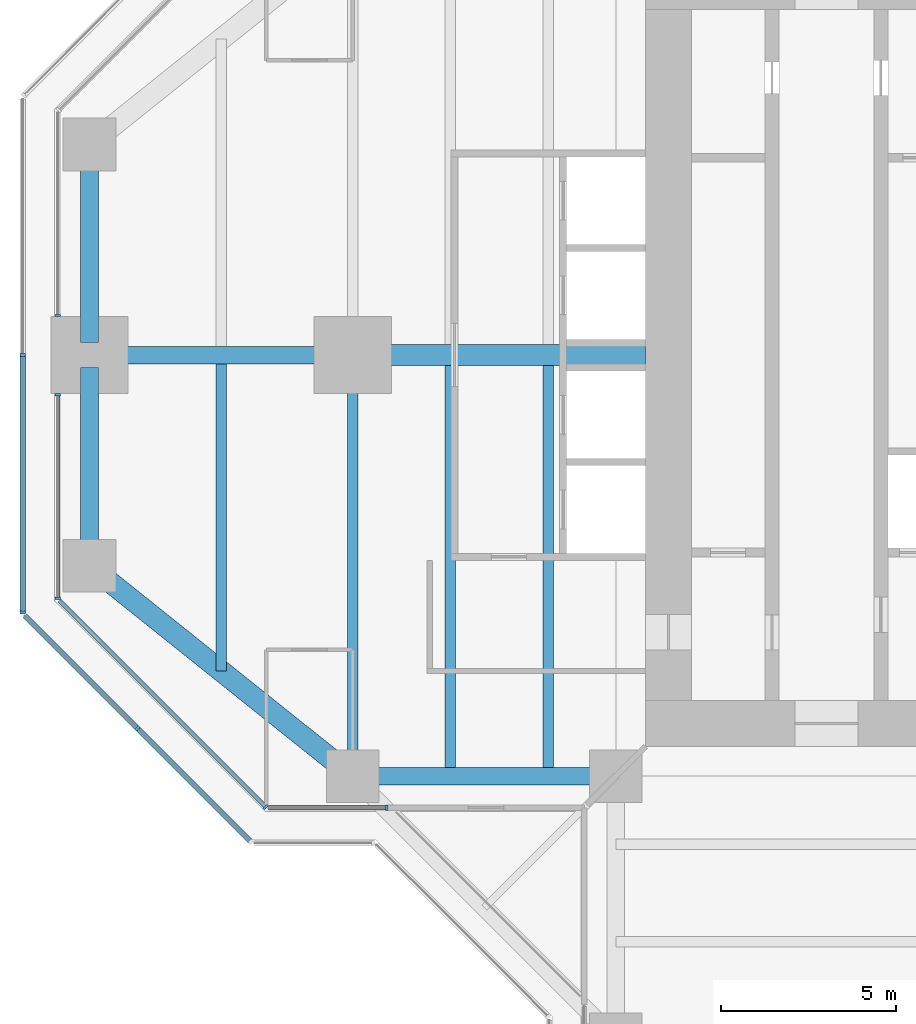
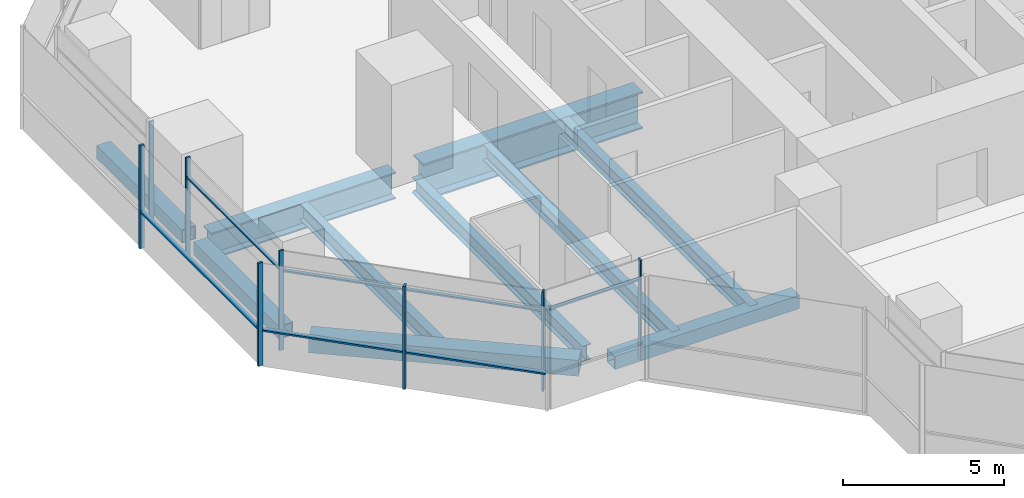
# One storey, part 3 of 17: 14 members, 10 beams, 6 elements without a shape of their own.
"""IFC4 building model written with IfcOpenShell, lengths in metres."""

from ifc_helpers import new_model, si_unit, direction, frame, origin, origin_2d, place, context, subcontext, project, spatial, rectangle, hollow_rectangle, i_section, extrude, material, material_profile, profile_set, type_object, element, aggregate, save


model = new_model("IFC4")

# Units and contexts
model_context = context("Model", 3, precision=1e-05, world=origin(), true_north=direction((0.0, 1.0)))
body_context = subcontext(model_context, "Body", "Model", "MODEL_VIEW")
ifc_project = project(units=[si_unit("LENGTHUNIT", "METRE"), si_unit("AREAUNIT", "SQUARE_METRE"), si_unit("VOLUMEUNIT", "CUBIC_METRE"), si_unit("PLANEANGLEUNIT", "RADIAN"), si_unit("MASSUNIT", "GRAM", prefix="KILO")], contexts=[model_context])

# Site, building, storey
site_placement = place(None, origin())
site = spatial("IfcSite", under=ifc_project, at=site_placement, CompositionType="ELEMENT")
building_placement = place(site_placement, origin())
building = spatial("IfcBuilding", under=site, at=building_placement, Name="Mizan Broadcast Tower", CompositionType="ELEMENT")
storey_placement = place(building_placement, frame((0.0, 0.0, 208.800048828125)))
storey = spatial("IfcBuildingStorey", under=building, at=storey_placement, Name="L48", CompositionType="ELEMENT", Elevation=208.800048828125)

# Beams
ifc_material_1 = material(Name="Steel S355", Category="steel")
ifc_material_profile_1 = material_profile(ifc_material_1, hollow_rectangle(XDim=0.5, YDim=0.5, WallThickness=0.030029296875, at=origin_2d()), Name="BOX 500x500x30")
ifc_profile_set_1 = profile_set([ifc_material_profile_1], Name="Steel S355")
beam_type_1 = type_object("IfcBeamType", Name="EDGE BEAM BOX 500x500x30", PredefinedType="SPANDREL", material=ifc_profile_set_1)
beam_1_placement = place(storey_placement, frame((-27.0, 5.639892578125, -0.380126953125), z_axis=(0.0, -1.0, 0.0), x_axis=(1.0, 0.0, 0.0)))
element("IfcBeam", 1, at=beam_1_placement, inside=storey, type_object=beam_type_1, Name="Edge beam BOX 500x500x30 L48 west arm", PredefinedType="SPANDREL", context=body_context, shape_type="SweptSolid", body=[
    extrude(hollow_rectangle(XDim=0.5, YDim=0.5, WallThickness=0.030029296875, at=origin_2d()), origin(), (0.0, 0.0, 1.0), 5.27978515625),
])
beam_2_placement = place(storey_placement, frame((-12.449951171875, -12.0, -0.380126953125), z_axis=(-1.0, 0.0, 0.0), x_axis=(0.0, -1.0, 0.0)))
element("IfcBeam", 2, at=beam_2_placement, inside=storey, type_object=beam_type_1, Name="Edge beam BOX 500x500x30 L48 west arm", PredefinedType="SPANDREL", context=body_context, shape_type="SweptSolid", body=[
    extrude(hollow_rectangle(XDim=0.5, YDim=0.5, WallThickness=0.030029296875, at=origin_2d()), origin(), (0.0, 0.0, 1.0), 6.60009765625),
])
beam_3_placement = place(storey_placement, frame((-27.0, -5.639892578125, -0.380126953125), z_axis=(0.0, 1.0, 0.0), x_axis=(-1.0, 0.0, 0.0)))
element("IfcBeam", 3, at=beam_3_placement, inside=storey, type_object=beam_type_1, Name="Edge beam BOX 500x500x30 L48 west arm", PredefinedType="SPANDREL", context=body_context, shape_type="SweptSolid", body=[
    extrude(hollow_rectangle(XDim=0.5, YDim=0.5, WallThickness=0.030029296875, at=origin_2d()), origin(), (0.0, 0.0, 1.0), 5.27978515625),
])
ifc_material_2 = material(Name="Steel S355", Category="steel")
ifc_material_profile_2 = material_profile(ifc_material_2, hollow_rectangle(XDim=0.60009765625, YDim=0.60009765625, WallThickness=0.030029296875, at=origin_2d()), Name="BOX 600x600x30")
ifc_profile_set_2 = profile_set([ifc_material_profile_2], Name="Steel S355")
beam_type_2 = type_object("IfcBeamType", Name="EDGE BEAM BOX 600x600x30", PredefinedType="SPANDREL", material=ifc_profile_set_2)
beam_4_placement = place(storey_placement, frame((-19.949951171875, -11.639892578125, -0.429931640625), z_axis=(-0.780885717636, 0.624673911726, 0.0), x_axis=(-0.624673911726, -0.780885717636, 0.0)))
element("IfcBeam", 4, at=beam_4_placement, inside=storey, type_object=beam_type_2, Name="Edge beam BOX 600x600x30 L48 west arm", PredefinedType="SPANDREL", context=body_context, shape_type="SweptSolid", body=[
    extrude(hollow_rectangle(XDim=0.60009765625, YDim=0.60009765625, WallThickness=0.030029296875, at=origin_2d()), origin(), (0.0, 0.0, 1.0), 8.4521484375),
])
ifc_material_3 = material(Name="Steel S355", Category="steel")
ifc_material_profile_3 = material_profile(ifc_material_3, i_section(OverallWidth=0.300048828125, OverallDepth=0.590087890625, WebThickness=0.012939453125, FlangeThickness=0.02490234375, FilletRadius=0.027099609375, at=origin_2d()), Name="HEA 600")
ifc_profile_set_3 = profile_set([ifc_material_profile_3], Name="Steel S355")
beam_type_3 = type_object("IfcBeamType", Name="GIRDER HEA 600", PredefinedType="BEAM", material=ifc_profile_set_3)
beam_5_placement = place(storey_placement, frame((-19.5, -11.280029296875, -0.425048828125), z_axis=(0.0, 1.0, 0.0), x_axis=(-1.0, 0.0, 0.0)))
element("IfcBeam", 5, at=beam_5_placement, inside=storey, type_object=beam_type_3, Name="Girder HEA 600 L48 west arm", PredefinedType="BEAM", context=body_context, shape_type="SweptSolid", body=[
    extrude(i_section(OverallWidth=0.300048828125, OverallDepth=0.590087890625, WebThickness=0.012939453125, FlangeThickness=0.02490234375, FilletRadius=0.027099609375, at=origin_2d()), origin(), (0.0, 0.0, 1.0), 10.56005859375),
])
ifc_material_4 = material(Name="Steel S460", Category="steel")
ifc_material_profile_4 = material_profile(ifc_material_4, i_section(OverallWidth=0.5, OverallDepth=1.0, WebThickness=0.02490234375, FlangeThickness=0.050048828125, at=origin_2d()), Name="WPG 1000x500")
ifc_profile_set_4 = profile_set([ifc_material_profile_4], Name="Steel S460")
beam_type_4 = type_object("IfcBeamType", Name="GIRDER WPG 1000x500", PredefinedType="BEAM", material=ifc_profile_set_4)
beam_6_placement = place(storey_placement, frame((-19.949951171875, 0.0, -0.630126953125), z_axis=(-1.0, 0.0, 0.0), x_axis=(0.0, -1.0, 0.0)))
element("IfcBeam", 6, at=beam_6_placement, inside=storey, type_object=beam_type_4, Name="Girder WPG 1000x500 L48 west arm", PredefinedType="BEAM", context=body_context, shape_type="SweptSolid", body=[
    extrude(i_section(OverallWidth=0.5, OverallDepth=1.0, WebThickness=0.02490234375, FlangeThickness=0.050048828125, at=origin_2d()), origin(), (0.0, 0.0, 1.0), 6.60009765625),
])
ifc_material_5 = material(Name="Steel S460", Category="steel")
ifc_material_profile_5 = material_profile(ifc_material_5, i_section(OverallWidth=0.60009765625, OverallDepth=1.39990234375, WebThickness=0.02490234375, FlangeThickness=0.06005859375, at=origin_2d()), Name="WPG 1400x600")
ifc_profile_set_5 = profile_set([ifc_material_profile_5], Name="Steel S460")
beam_type_5 = type_object("IfcBeamType", Name="GIRDER WPG 1400x600", PredefinedType="BEAM", material=ifc_profile_set_5)
beam_7_placement = place(storey_placement, frame((-11.14990234375, 0.0, -0.830078125), z_axis=(-1.0, 0.0, 0.0), x_axis=(0.0, -1.0, 0.0)))
element("IfcBeam", 7, at=beam_7_placement, inside=storey, type_object=beam_type_5, Name="Girder WPG 1400x600 L48 west arm", PredefinedType="BEAM", context=body_context, shape_type="SweptSolid", body=[
    extrude(i_section(OverallWidth=0.60009765625, OverallDepth=1.39990234375, WebThickness=0.02490234375, FlangeThickness=0.06005859375, at=origin_2d()), origin(), (0.0, 0.0, 1.0), 7.84912109375),
])

# Curtain wall, member
ifc_material_6 = material(Name="Aluminium framed glazing", Category="aluminium")
curtain_wall_type_1 = type_object("IfcCurtainWallType", Name="INNER SKIN HIGH ZONE", PredefinedType="USERDEFINED", material=ifc_material_6)
curtain_wall_1_placement = place(storey_placement, origin())
curtain_wall_1 = element("IfcCurtainWall", 8, at=curtain_wall_1_placement, inside=storey, type_object=curtain_wall_type_1, Name="Inner skin high zone L48 W end", ObjectType="INNER SKIN HIGH ZONE", PredefinedType="USERDEFINED")
ifc_material_7 = material(Name="Aluminium, pale anodised", Category="aluminium")
ifc_material_profile_6 = material_profile(ifc_material_7, rectangle(XDim=0.159912109375, YDim=0.06005859375, at=origin_2d()), Name="MULLION 160x60")
ifc_profile_set_6 = profile_set([ifc_material_profile_6], Name="Aluminium, pale anodised")
member_type_1 = type_object("IfcMemberType", Name="INNER SKIN MULLION 60x160", PredefinedType="MULLION", material=ifc_profile_set_6)
member_1_placement = place(storey_placement, frame((-27.89990234375, 1.1298828125, 0.0), z_axis=(0.0, 0.0, 1.0), x_axis=(1.0, 0.0, 0.0)))
member_1 = element("IfcMember", 9, at=member_1_placement, type_object=member_type_1, Name="Inner skin high zone L48 W end mullion 2", PredefinedType="MULLION", context=body_context, shape_type="SweptSolid", body=[
    extrude(rectangle(XDim=0.159912109375, YDim=0.06005859375, at=origin_2d()), origin(), (0.0, 0.0, 1.0), 3.77001953125),
])
aggregate(curtain_wall_1, [member_1])

# Curtain wall, members
curtain_wall_2_placement = place(storey_placement, origin())
curtain_wall_2 = element("IfcCurtainWall", 10, at=curtain_wall_2_placement, inside=storey, type_object=curtain_wall_type_1, Name="Inner skin high zone L48 W end", ObjectType="INNER SKIN HIGH ZONE", PredefinedType="USERDEFINED")
member_2_placement = place(storey_placement, frame((-27.89990234375, -1.1298828125, 0.0), z_axis=(0.0, 0.0, 1.0), x_axis=(1.0, 0.0, 0.0)))
member_2 = element("IfcMember", 11, at=member_2_placement, type_object=member_type_1, Name="Inner skin high zone L48 W end mullion 1", PredefinedType="MULLION", context=body_context, shape_type="SweptSolid", body=[
    extrude(rectangle(XDim=0.159912109375, YDim=0.06005859375, at=origin_2d()), origin(), (0.0, 0.0, 1.0), 3.77001953125),
])
member_3_placement = place(storey_placement, frame((-27.89990234375, -6.928466796875, 0.0), z_axis=(0.0, 0.0, 1.0), x_axis=(1.0, 0.0, 0.0)))
member_3 = element("IfcMember", 12, at=member_3_placement, type_object=member_type_1, Name="Inner skin high zone L48 W end mullion 2", PredefinedType="MULLION", context=body_context, shape_type="SweptSolid", body=[
    extrude(rectangle(XDim=0.159912109375, YDim=0.06005859375, at=origin_2d()), origin(), (0.0, 0.0, 1.0), 3.77001953125),
])

# Curtain wall, member
curtain_wall_3_placement = place(storey_placement, origin())
curtain_wall_3 = element("IfcCurtainWall", 13, at=curtain_wall_3_placement, inside=storey, type_object=curtain_wall_type_1, Name="Inner skin high zone L48 W chamfer", ObjectType="INNER SKIN HIGH ZONE", PredefinedType="USERDEFINED")
member_4_placement = place(storey_placement, frame((-21.979736328125, -12.87890625, 0.0), z_axis=(0.0, 0.0, 1.0), x_axis=(0.707106781187, 0.707106781187, 0.0)))
member_4 = element("IfcMember", 14, at=member_4_placement, type_object=member_type_1, Name="Inner skin high zone L48 W chamfer mullion 2", PredefinedType="MULLION", context=body_context, shape_type="SweptSolid", body=[
    extrude(rectangle(XDim=0.159912109375, YDim=0.06005859375, at=origin_2d()), origin(), (0.0, 0.0, 1.0), 3.77001953125),
])

curtain_wall_4_placement = place(storey_placement, origin())
curtain_wall_4 = element("IfcCurtainWall", 15, at=curtain_wall_4_placement, inside=storey, type_object=curtain_wall_type_1, Name="Inner skin high zone L48 W side", ObjectType="INNER SKIN HIGH ZONE", PredefinedType="USERDEFINED")
member_5_placement = place(storey_placement, frame((-18.530029296875, -12.89990234375, 0.0), z_axis=(0.0, 0.0, 1.0), x_axis=(0.0, 1.0, 0.0)))
member_5 = element("IfcMember", 16, at=member_5_placement, type_object=member_type_1, Name="Inner skin high zone L48 W side mullion 2", PredefinedType="MULLION", context=body_context, shape_type="SweptSolid", body=[
    extrude(rectangle(XDim=0.159912109375, YDim=0.06005859375, at=origin_2d()), origin(), (0.0, 0.0, 1.0), 3.77001953125),
])

# Member
ifc_material_8 = material(Name="Aluminium, pale anodised", Category="aluminium")
ifc_material_profile_7 = material_profile(ifc_material_8, rectangle(XDim=0.1201171875, YDim=0.06005859375, at=origin_2d()), Name="TRANSOM 120x60")
ifc_profile_set_7 = profile_set([ifc_material_profile_7], Name="Aluminium, pale anodised")
member_type_2 = type_object("IfcMemberType", Name="INNER SKIN TRANSOM 60x120", PredefinedType="USERDEFINED", material=ifc_profile_set_7)
member_6_placement = place(storey_placement, frame((-27.89990234375, -1.159912109375, 3.030029296875), z_axis=(0.0, -1.0, 0.0), x_axis=(1.0, 0.0, 0.0)))
member_6 = element("IfcMember", 17, at=member_6_placement, type_object=member_type_2, Name="Inner skin high zone L48 W end transom 1.1", ObjectType="TRANSOM", PredefinedType="USERDEFINED", context=body_context, shape_type="SweptSolid", body=[
    extrude(rectangle(XDim=0.1201171875, YDim=0.06005859375, at=origin_2d()), origin(), (0.0, 0.0, 1.0), 5.73876953125),
])

aggregate(curtain_wall_2, [member_2, member_3, member_6])

member_7_placement = place(storey_placement, frame((-27.857666015625, -7.0009765625, 3.030029296875), z_axis=(0.707106781187, -0.707106781187, 0.0), x_axis=(0.707106781187, 0.707106781187, 0.0)))
member_7 = element("IfcMember", 18, at=member_7_placement, type_object=member_type_2, Name="Inner skin high zone L48 W chamfer transom 1.1", ObjectType="TRANSOM", PredefinedType="USERDEFINED", context=body_context, shape_type="SweptSolid", body=[
    extrude(rectangle(XDim=0.1201171875, YDim=0.06005859375, at=origin_2d()), origin(), (0.0, 0.0, 1.0), 8.28271484375),
])

aggregate(curtain_wall_3, [member_4, member_7])

member_8_placement = place(storey_placement, frame((-21.898681640625, -12.89990234375, 3.030029296875), z_axis=(1.0, 0.0, 0.0), x_axis=(0.0, 1.0, 0.0)))
member_8 = element("IfcMember", 19, at=member_8_placement, type_object=member_type_2, Name="Inner skin high zone L48 W side transom 1.1", ObjectType="TRANSOM", PredefinedType="USERDEFINED", context=body_context, shape_type="SweptSolid", body=[
    extrude(rectangle(XDim=0.1201171875, YDim=0.06005859375, at=origin_2d()), origin(), (0.0, 0.0, 1.0), 3.338623046875),
])

aggregate(curtain_wall_4, [member_5, member_8])

# Curtain wall, members
ifc_material_9 = material(Name="Aluminium framed glazing", Category="aluminium")
curtain_wall_type_2 = type_object("IfcCurtainWallType", Name="OUTER SKIN", PredefinedType="USERDEFINED", material=ifc_material_9)
curtain_wall_5_placement = place(storey_placement, origin())
curtain_wall_5 = element("IfcCurtainWall", 20, at=curtain_wall_5_placement, inside=storey, type_object=curtain_wall_type_2, Name="Outer skin L48 W end", ObjectType="OUTER SKIN", PredefinedType="USERDEFINED")
ifc_material_10 = material(Name="Aluminium, pale anodised", Category="aluminium")
ifc_material_profile_8 = material_profile(ifc_material_10, rectangle(XDim=0.159912109375, YDim=0.080078125, at=origin_2d()), Name="MULLION 160x80")
ifc_profile_set_8 = profile_set([ifc_material_profile_8], Name="Aluminium, pale anodised")
member_type_3 = type_object("IfcMemberType", Name="OUTER SKIN MULLION 80x160", PredefinedType="MULLION", material=ifc_profile_set_8)
member_9_placement = place(storey_placement, frame((-28.89990234375, 0.0, 0.0), z_axis=(0.0, 0.0, 1.0), x_axis=(1.0, 0.0, 0.0)))
member_9 = element("IfcMember", 21, at=member_9_placement, type_object=member_type_3, Name="Outer skin L48 W end mullion 2", PredefinedType="MULLION", context=body_context, shape_type="SweptSolid", body=[
    extrude(rectangle(XDim=0.159912109375, YDim=0.080078125, at=origin_2d()), origin(), (0.0, 0.0, 1.0), 3.89990234375),
])
member_10_placement = place(storey_placement, frame((-28.89990234375, -7.332763671875, 0.0), z_axis=(0.0, 0.0, 1.0), x_axis=(1.0, 0.0, 0.0)))
member_10 = element("IfcMember", 22, at=member_10_placement, type_object=member_type_3, Name="Outer skin L48 W end mullion 3", PredefinedType="MULLION", context=body_context, shape_type="SweptSolid", body=[
    extrude(rectangle(XDim=0.159912109375, YDim=0.080078125, at=origin_2d()), origin(), (0.0, 0.0, 1.0), 3.89990234375),
])

# Curtain wall, member
curtain_wall_6_placement = place(storey_placement, origin())
curtain_wall_6 = element("IfcCurtainWall", 23, at=curtain_wall_6_placement, inside=storey, type_object=curtain_wall_type_2, Name="Outer skin L48 W chamfer", ObjectType="OUTER SKIN", PredefinedType="USERDEFINED")
member_11_placement = place(storey_placement, frame((-25.636474609375, -10.636474609375, 0.0), z_axis=(0.0, 0.0, 1.0), x_axis=(0.707106781187, 0.707106781187, 0.0)))
member_11 = element("IfcMember", 24, at=member_11_placement, type_object=member_type_3, Name="Outer skin L48 W chamfer mullion 2", PredefinedType="MULLION", context=body_context, shape_type="SweptSolid", body=[
    extrude(rectangle(XDim=0.159912109375, YDim=0.080078125, at=origin_2d()), origin(), (0.0, 0.0, 1.0), 3.89990234375),
])

# Member
ifc_material_11 = material(Name="Aluminium, pale anodised", Category="aluminium")
ifc_material_profile_9 = material_profile(ifc_material_11, rectangle(XDim=0.159912109375, YDim=0.06005859375, at=origin_2d()), Name="TRANSOM 160x60")
ifc_profile_set_9 = profile_set([ifc_material_profile_9], Name="Aluminium, pale anodised")
member_type_4 = type_object("IfcMemberType", Name="OUTER SKIN TRANSOM 60x160", PredefinedType="USERDEFINED", material=ifc_profile_set_9)
member_12_placement = place(storey_placement, frame((-28.89990234375, -0.0400390625, 1.39990234375), z_axis=(0.0, -1.0, 0.0), x_axis=(1.0, 0.0, 0.0)))
member_12 = element("IfcMember", 25, at=member_12_placement, type_object=member_type_4, Name="Outer skin L48 W end transom 2.1", ObjectType="TRANSOM", PredefinedType="USERDEFINED", context=body_context, shape_type="SweptSolid", body=[
    extrude(rectangle(XDim=0.159912109375, YDim=0.06005859375, at=origin_2d()), origin(), (0.0, 0.0, 1.0), 7.252685546875),
])

aggregate(curtain_wall_5, [member_9, member_10, member_12])

member_13_placement = place(storey_placement, frame((-28.843505859375, -7.429443359375, 1.39990234375), z_axis=(0.707106781187, -0.707106781187, 0.0), x_axis=(0.707106781187, 0.707106781187, 0.0)))
member_13 = element("IfcMember", 26, at=member_13_placement, type_object=member_type_4, Name="Outer skin L48 W chamfer transom 1.1", ObjectType="TRANSOM", PredefinedType="USERDEFINED", context=body_context, shape_type="SweptSolid", body=[
    extrude(rectangle(XDim=0.159912109375, YDim=0.06005859375, at=origin_2d()), origin(), (0.0, 0.0, 1.0), 4.495361328125),
])

member_14_placement = place(storey_placement, frame((-25.608154296875, -10.664794921875, 1.39990234375), z_axis=(0.707106781187, -0.707106781187, 0.0), x_axis=(0.707106781187, 0.707106781187, 0.0)))
member_14 = element("IfcMember", 27, at=member_14_placement, type_object=member_type_4, Name="Outer skin L48 W chamfer transom 2.1", ObjectType="TRANSOM", PredefinedType="USERDEFINED", context=body_context, shape_type="SweptSolid", body=[
    extrude(rectangle(XDim=0.159912109375, YDim=0.06005859375, at=origin_2d()), origin(), (0.0, 0.0, 1.0), 4.495361328125),
])

aggregate(curtain_wall_6, [member_11, member_13, member_14])

# Beams
ifc_material_12 = material(Name="Steel S355", Category="steel")
ifc_material_profile_10 = material_profile(ifc_material_12, i_section(OverallWidth=0.300048828125, OverallDepth=0.590087890625, WebThickness=0.012939453125, FlangeThickness=0.02490234375, FilletRadius=0.027099609375, at=origin_2d()), Name="HEA 600")
ifc_profile_set_10 = profile_set([ifc_material_profile_10], Name="Steel S355")
beam_type_6 = type_object("IfcBeamType", Name="SECONDARY BEAM HEA 600", PredefinedType="JOIST", material=ifc_profile_set_10)
for number, where, z_axis, x_axis, name in (
    (28, (-13.933349609375, -12.0, -0.425048828125), (0.0, 1.0, 0.0), (-1.0, 0.0, 0.0), "Secondary beam HEA 600 L48 west arm"),
    (29, (-16.716552734375, -12.0, -0.425048828125), (0.0, 1.0, 0.0), (-1.0, 0.0, 0.0), "Secondary beam HEA 600 L48 west arm"),
):
    element("IfcBeam", number, at=place(storey_placement, frame(where, z_axis=z_axis, x_axis=x_axis)), inside=storey, type_object=beam_type_6, Name=name, PredefinedType="JOIST", context=body_context, shape_type="SweptSolid", body=[
        extrude(i_section(OverallWidth=0.300048828125, OverallDepth=0.590087890625, WebThickness=0.012939453125, FlangeThickness=0.02490234375, FilletRadius=0.027099609375, at=origin_2d()), origin(), (0.0, 0.0, 1.0), 11.699951171875),
    ])
beam_8_placement = place(storey_placement, frame((-23.25, -9.0, -0.425048828125), z_axis=(0.0, 1.0, 0.0), x_axis=(-1.0, 0.0, 0.0)))
element("IfcBeam", 30, at=beam_8_placement, inside=storey, type_object=beam_type_6, Name="Secondary beam HEA 600 L48 west arm", PredefinedType="JOIST", context=body_context, shape_type="SweptSolid", body=[
    extrude(i_section(OverallWidth=0.300048828125, OverallDepth=0.590087890625, WebThickness=0.012939453125, FlangeThickness=0.02490234375, FilletRadius=0.027099609375, at=origin_2d()), origin(), (0.0, 0.0, 1.0), 8.75),
])

save(model, "model.ifc")
